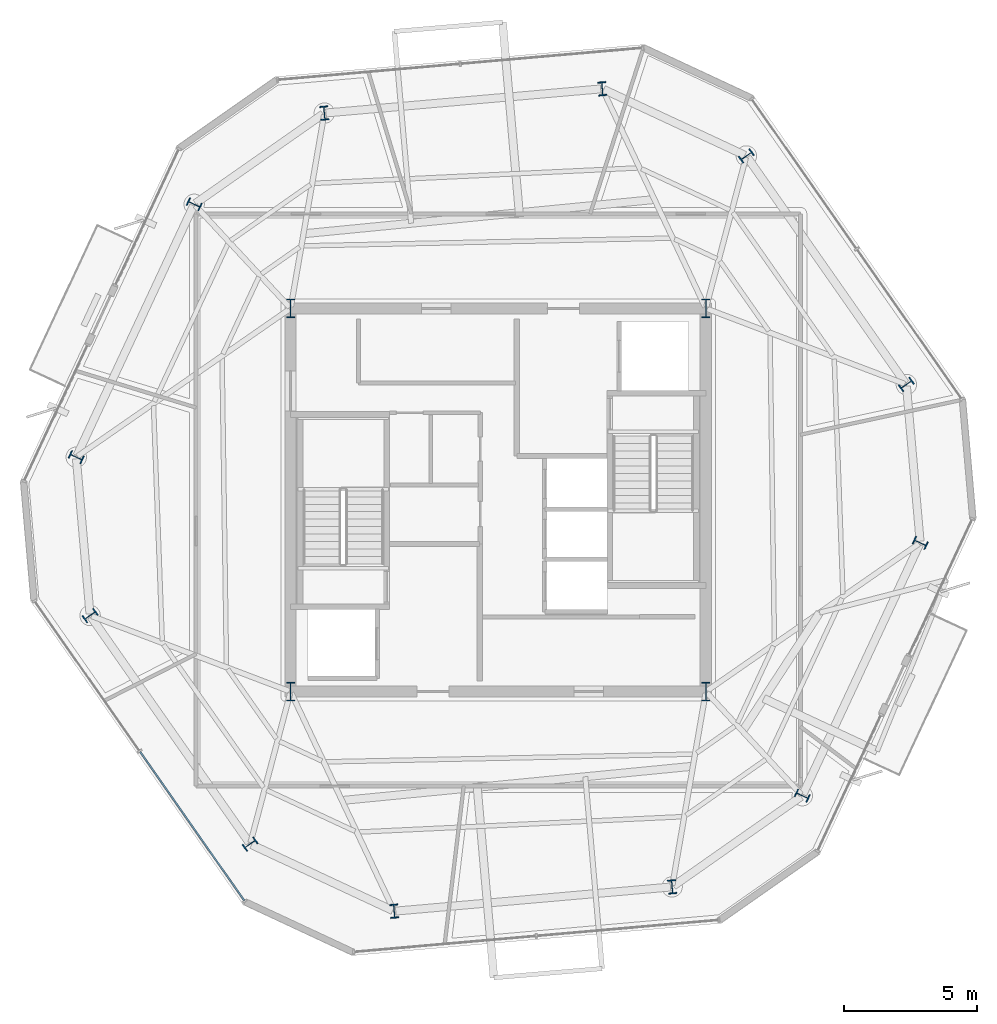
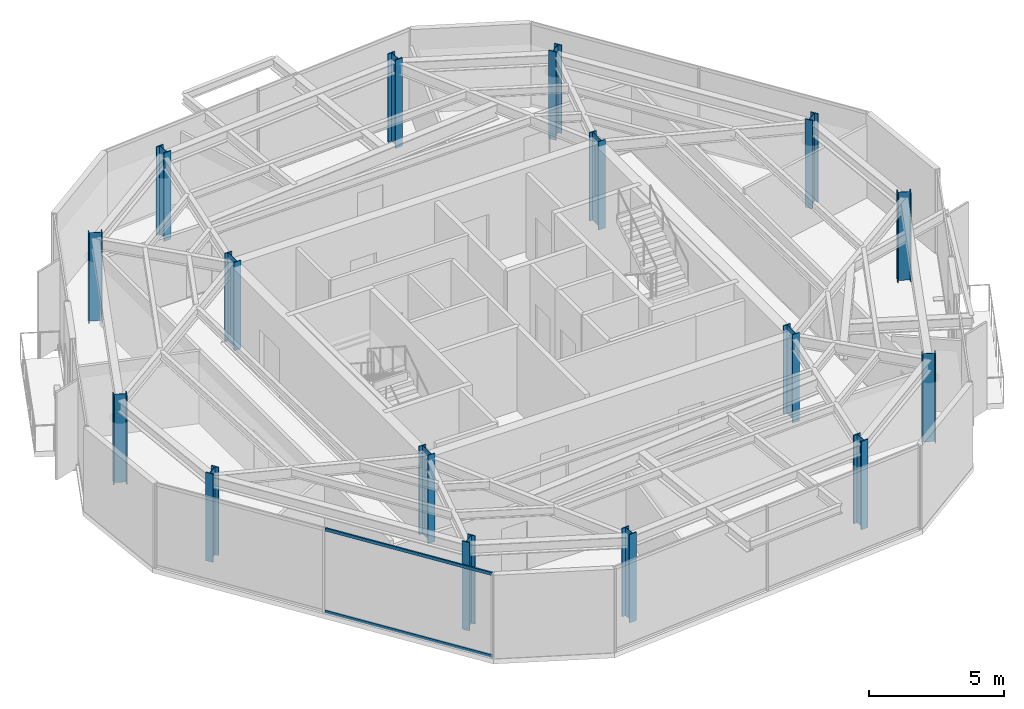
# One storey, part 1 of 11: 16 columns, 2 members, 1 element without a shape of its own.
"""IFC4 building model written with IfcOpenShell, lengths in metres."""

from ifc_helpers import new_model, si_unit, direction, frame, origin, origin_2d, place, context, subcontext, project, spatial, rectangle, i_section, extrude, material, layer, layer_set, material_profile, profile_set, type_object, element, aggregate, save


model = new_model("IFC4")

# Units and contexts
model_context = context("Model", 3, precision=1e-05, world=origin(), true_north=direction((0.0, 1.0)))
body_context = subcontext(model_context, "Body", "Model", "MODEL_VIEW")
ifc_project = project(units=[si_unit("LENGTHUNIT", "METRE"), si_unit("AREAUNIT", "SQUARE_METRE"), si_unit("VOLUMEUNIT", "CUBIC_METRE"), si_unit("PLANEANGLEUNIT", "RADIAN"), si_unit("MASSUNIT", "GRAM", prefix="KILO")], contexts=[model_context])

# Site, building, storey
site_placement = place(None, origin())
site = spatial("IfcSite", under=ifc_project, at=site_placement, CompositionType="ELEMENT")
building_placement = place(site_placement, origin())
building = spatial("IfcBuilding", under=site, at=building_placement, Name="Kranzbogen Civic Tower", CompositionType="ELEMENT")
storey_placement = place(building_placement, frame((0.0, 0.0, 286.199951171875)))
storey = spatial("IfcBuildingStorey", under=building, at=storey_placement, Name="L69", CompositionType="ELEMENT", Elevation=286.199951171875)

# Columns
ifc_material_1 = material(Name="Steel S355", Category="steel")
ifc_material_profile_1 = material_profile(ifc_material_1, i_section(OverallWidth=0.300048828125, OverallDepth=0.699951171875, WebThickness=0.01708984375, FlangeThickness=0.031982421875, at=origin_2d()), Name="HEB 700")
ifc_profile_set_1 = profile_set([ifc_material_profile_1], Name="Steel S355")
column_type_1 = type_object("IfcColumnType", Name="Structural Column HEB 700", PredefinedType="COLUMN", material=ifc_profile_set_1)
for number, where, z_axis, x_axis, name in (
    (1, (17.199951171875, 17.800048828125, 0.0), (0.0, 0.0, 1.0), (1.0, 0.0, 0.0), "L69 composite core corner column 1"),
    (2, (32.800048828125, 17.800048828125, 0.0), (0.0, 0.0, 1.0), (1.0, 0.0, 0.0), "L69 composite core corner column 2"),
    (3, (32.800048828125, 32.199951171875, 0.0), (0.0, 0.0, 1.0), (1.0, 0.0, 0.0), "L69 composite core corner column 3"),
    (4, (17.199951171875, 32.199951171875, 0.0), (0.0, 0.0, 1.0), (1.0, 0.0, 0.0), "L69 composite core corner column 4"),
):
    element("IfcColumn", number, at=place(storey_placement, frame(where, z_axis=z_axis, x_axis=x_axis)), inside=storey, type_object=column_type_1, Name=name, PredefinedType="COLUMN", context=body_context, shape_type="SweptSolid", body=[
        extrude(i_section(OverallWidth=0.300048828125, OverallDepth=0.699951171875, WebThickness=0.01708984375, FlangeThickness=0.031982421875, at=origin_2d()), origin(), (0.0, 0.0, 1.0), 4.0),
    ])
ifc_material_profile_2 = material_profile(ifc_material_1, i_section(OverallWidth=0.305908203125, OverallDepth=0.52392578125, WebThickness=0.02099609375, FlangeThickness=0.0400390625, at=origin_2d()), Name="HEM 500")
ifc_profile_set_2 = profile_set([ifc_material_profile_2], Name="Steel S355")
column_type_2 = type_object("IfcColumnType", Name="Structural Column HEM 500", PredefinedType="COLUMN", material=ifc_profile_set_2)
for number, where, z_axis, x_axis, name in (
    (5, (28.908935546875, 40.449951171875, 0.0), (0.0, 0.0, 1.0), (0.996194698092, 0.087155742748, 0.0), "L69 tower perimeter tube column 01"),
    (6, (18.467041015625, 39.535888671875, 0.0), (0.0, 0.0, 1.0), (0.996194698092, 0.087155742748, 0.0), "L69 tower perimeter tube column 02"),
    (7, (13.574951171875, 36.110107421875, 0.0), (0.0, 0.0, 1.0), (0.422618261741, 0.906307787037, 0.0), "L69 tower perimeter tube column 03"),
    (8, (9.14501953125, 26.610107421875, 0.0), (0.0, 0.0, 1.0), (0.422618261741, 0.906307787037, 0.0), "L69 tower perimeter tube column 04"),
    (9, (9.666015625, 20.660888671875, 0.0), (0.0, 0.0, 1.0), (-0.573576436351, 0.819152044289, 0.0), "L69 tower perimeter tube column 05"),
    (10, (15.677978515625, 12.073974609375, 0.0), (0.0, 0.0, 1.0), (-0.573576436351, 0.819152044289, 0.0), "L69 tower perimeter tube column 06"),
    (11, (21.091064453125, 9.550048828125, 0.0), (0.0, 0.0, 1.0), (0.996194698092, 0.087155742748, 0.0), "L69 tower perimeter tube column 07"),
    (12, (31.532958984375, 10.464111328125, 0.0), (0.0, 0.0, 1.0), (0.996194698092, 0.087155742748, 0.0), "L69 tower perimeter tube column 08"),
    (13, (36.425048828125, 13.889892578125, 0.0), (0.0, 0.0, 1.0), (0.422618261741, 0.906307787037, 0.0), "L69 tower perimeter tube column 09"),
    (14, (40.85498046875, 23.389892578125, 0.0), (0.0, 0.0, 1.0), (0.422618261741, 0.906307787037, 0.0), "L69 tower perimeter tube column 10"),
    (15, (40.333984375, 29.339111328125, 0.0), (0.0, 0.0, 1.0), (-0.573576436351, 0.819152044289, 0.0), "L69 tower perimeter tube column 11"),
    (16, (34.322021484375, 37.926025390625, 0.0), (0.0, 0.0, 1.0), (-0.573576436351, 0.819152044289, 0.0), "L69 tower perimeter tube column 12"),
):
    element("IfcColumn", number, at=place(storey_placement, frame(where, z_axis=z_axis, x_axis=x_axis)), inside=storey, type_object=column_type_2, Name=name, PredefinedType="COLUMN", context=body_context, shape_type="SweptSolid", body=[
        extrude(i_section(OverallWidth=0.305908203125, OverallDepth=0.52392578125, WebThickness=0.02099609375, FlangeThickness=0.0400390625, at=origin_2d()), origin(), (0.0, 0.0, 1.0), 4.0),
    ])

# Curtain wall, members
ifc_material_2 = material(Name="Pale Anodised Aluminium", Category="aluminium")
ifc_layer = layer(ifc_material_2, 0.219970703125, Name="Pale Anodised Aluminium")
ifc_layer_set = layer_set([ifc_layer], Name="Pale Anodised Aluminium")
curtain_wall_type = type_object("IfcCurtainWallType", Name="Zone 4 Stick Curtain Wall System CW-05", PredefinedType="USERDEFINED", material=ifc_layer_set)
curtain_wall_placement = place(storey_placement, origin())
curtain_wall = element("IfcCurtainWall", 17, at=curtain_wall_placement, inside=storey, type_object=curtain_wall_type, Name="L69 curtain wall CW-L69-F3", ObjectType="STICK CURTAIN WALL", PredefinedType="USERDEFINED")
ifc_material_profile_3 = material_profile(ifc_material_2, rectangle(XDim=0.06494140625, YDim=0.135009765625, at=origin_2d()), Name="ALU-T 65x135")
ifc_profile_set_3 = profile_set([ifc_material_profile_3], Name="Pale Anodised Aluminium")
member_type = type_object("IfcMemberType", Name="Curtain Wall Transom ALU-T 65x135", PredefinedType="USERDEFINED", material=ifc_profile_set_3)
member_1_placement = place(storey_placement, frame((11.545654296875, 15.54248046875, 0.030029296875), z_axis=(0.573534335111, -0.819181522282, 0.0), x_axis=(0.819181522282, 0.573534335111, 0.0)))
member_1 = element("IfcMember", 18, at=member_1_placement, type_object=member_type, Name="CW-05 transom 2.1", ObjectType="TRANSOM", PredefinedType="USERDEFINED", context=body_context, shape_type="SweptSolid", body=[
    extrude(rectangle(XDim=0.06494140625, YDim=0.135009765625, at=origin_2d()), origin(), (0.0, 0.0, 1.0), 6.827880859375),
])
member_2_placement = place(storey_placement, frame((11.545654296875, 15.54248046875, 3.75), z_axis=(0.573534335111, -0.819181522282, 0.0), x_axis=(0.819181522282, 0.573534335111, 0.0)))
member_2 = element("IfcMember", 19, at=member_2_placement, type_object=member_type, Name="CW-05 transom 2.2", ObjectType="TRANSOM", PredefinedType="USERDEFINED", context=body_context, shape_type="SweptSolid", body=[
    extrude(rectangle(XDim=0.06494140625, YDim=0.135009765625, at=origin_2d()), origin(), (0.0, 0.0, 1.0), 6.827880859375),
])
aggregate(curtain_wall, [member_1, member_2])

save(model, "model.ifc")
